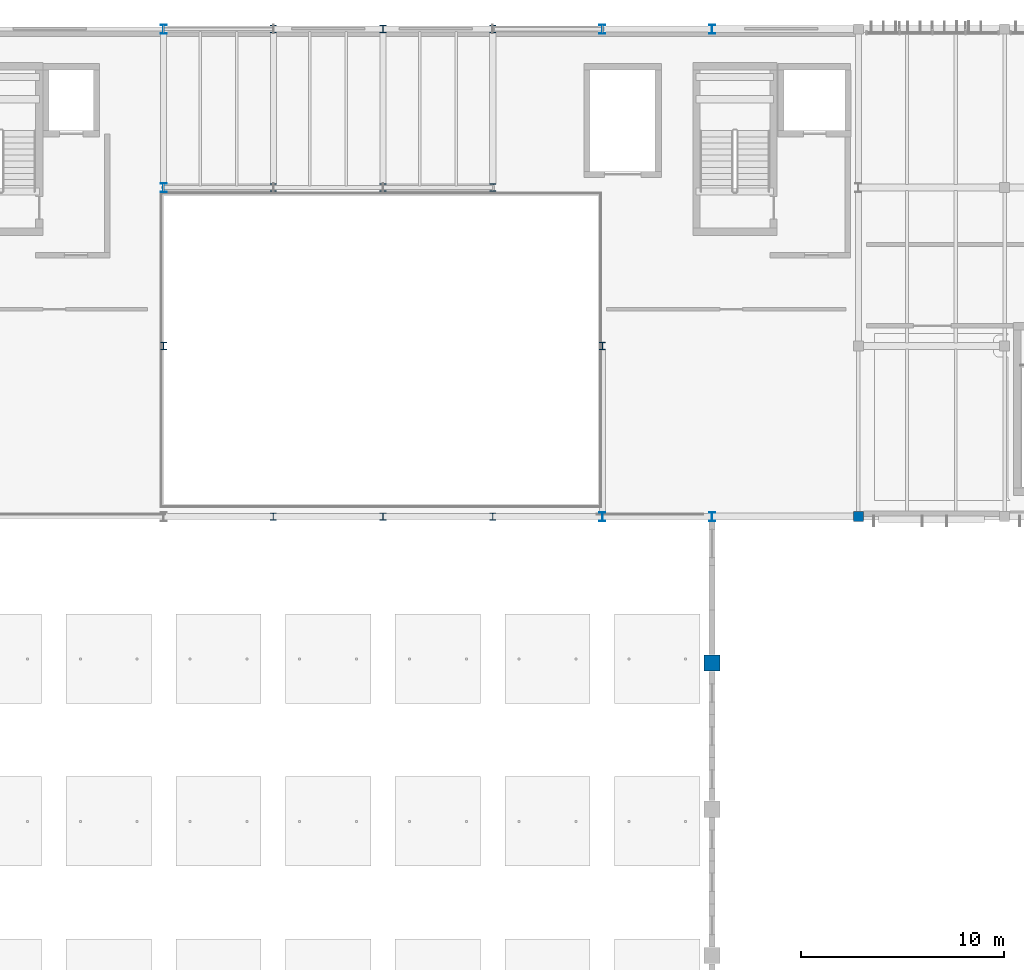
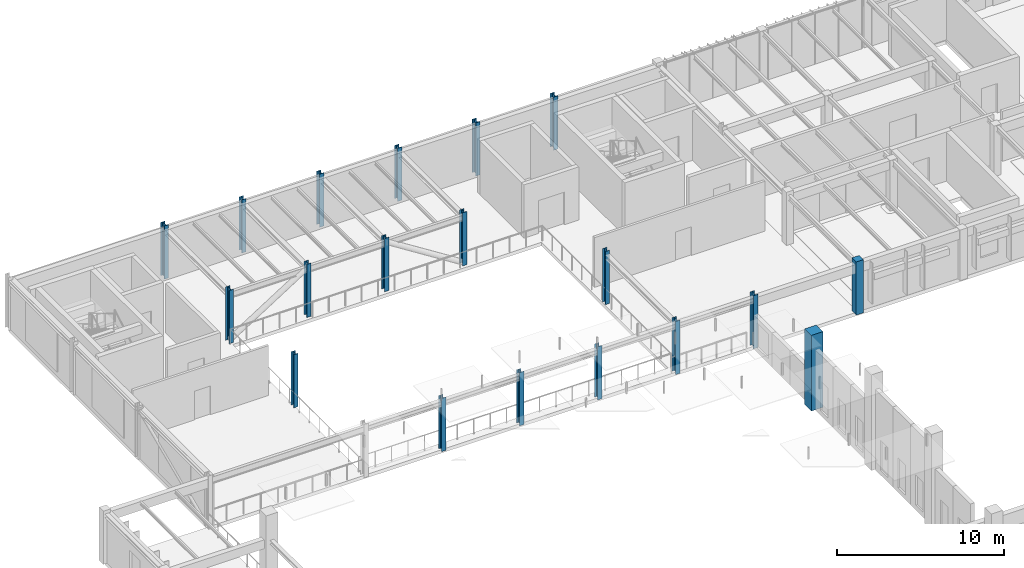
# One storey, part 4 of 44: 19 columns.
"""IFC4 building model written with IfcOpenShell, lengths in metres."""

from ifc_helpers import new_model, si_unit, direction, frame, origin, origin_2d, place, context, subcontext, project, spatial, rectangle, i_section, extrude, material, material_profile, profile_set, type_object, element, save


model = new_model("IFC4")

# Units and contexts
model_context = context("Model", 3, precision=1e-05, world=origin(), true_north=direction((0.0, 1.0)))
body_context = subcontext(model_context, "Body", "Model", "MODEL_VIEW")
ifc_project = project(units=[si_unit("LENGTHUNIT", "METRE"), si_unit("AREAUNIT", "SQUARE_METRE"), si_unit("VOLUMEUNIT", "CUBIC_METRE"), si_unit("PLANEANGLEUNIT", "RADIAN"), si_unit("MASSUNIT", "GRAM", prefix="KILO")], contexts=[model_context])

# Site, building, storey
site_placement = place(None, origin())
site = spatial("IfcSite", under=ifc_project, at=site_placement, CompositionType="ELEMENT")
building_placement = place(site_placement, origin())
building = spatial("IfcBuilding", under=site, at=building_placement, Name="Tazoul Stagehouse", CompositionType="ELEMENT")
storey_placement = place(building_placement, frame((0.0, 0.0, 13.199951171875)))
storey = spatial("IfcBuildingStorey", under=building, at=storey_placement, Name="L03", CompositionType="ELEMENT", Elevation=13.199951171875)

# Columns
ifc_material_1 = material(Name="Concrete C40/50", Category="concrete")
ifc_material_profile_1 = material_profile(ifc_material_1, rectangle(XDim=0.5, YDim=0.5, at=origin_2d()), Name="RC 500x500")
ifc_profile_set_1 = profile_set([ifc_material_profile_1], Name="Concrete C40/50")
column_type_1 = type_object("IfcColumnType", Name="RC Column 500x500 (Exterior)", PredefinedType="COLUMN", material=ifc_profile_set_1)
column_1_placement = place(storey_placement, frame((102.60009765625, 87.800048828125, 0.0), z_axis=(0.0, 0.0, 1.0), x_axis=(1.0, 0.0, 0.0)))
element("IfcColumn", 1, at=column_1_placement, inside=storey, type_object=column_type_1, Name="L03 Column C-02E at 16/N", PredefinedType="COLUMN", context=body_context, shape_type="SweptSolid", body=[
    extrude(rectangle(XDim=0.5, YDim=0.5, at=origin_2d()), origin(), (0.0, 0.0, 1.0), 3.900146484375),
])
ifc_material_profile_2 = material_profile(ifc_material_1, rectangle(XDim=0.800048828125, YDim=0.800048828125, at=origin_2d()), Name="RC 800x800")
ifc_profile_set_2 = profile_set([ifc_material_profile_2], Name="Concrete C40/50")
column_type_2 = type_object("IfcColumnType", Name="RC Column 800x800 (Exterior)", PredefinedType="COLUMN", material=ifc_profile_set_2)
column_2_placement = place(storey_placement, frame((95.39990234375, 80.60009765625, 0.0), z_axis=(0.0, 0.0, 1.0), x_axis=(1.0, 0.0, 0.0)))
element("IfcColumn", 2, at=column_2_placement, inside=storey, type_object=column_type_2, Name="L03 Column C-05E at 15/M", PredefinedType="COLUMN", context=body_context, shape_type="SweptSolid", body=[
    extrude(rectangle(XDim=0.800048828125, YDim=0.800048828125, at=origin_2d()), origin(), (0.0, 0.0, 1.0), 5.542236328125),
])
ifc_material_2 = material(Name="Steel S355", Category="steel")
ifc_material_profile_3 = material_profile(ifc_material_2, i_section(OverallWidth=0.300048828125, OverallDepth=0.360107421875, WebThickness=0.012451171875, FlangeThickness=0.0224609375, FilletRadius=0.027099609375, at=origin_2d()), Name="HEB 360")
ifc_profile_set_3 = profile_set([ifc_material_profile_3], Name="Steel S355")
column_type_3 = type_object("IfcColumnType", Name="Steel Column HEB 360", PredefinedType="COLUMN", material=ifc_profile_set_3)
for number, where, z_axis, x_axis, name in (
    (3, (68.39990234375, 96.199951171875, 0.0), (0.0, 0.0, 1.0), (1.0, 0.0, 0.0), "L03 Column SC-03 at 10/P"),
    (4, (73.800048828125, 104.0, 0.0), (0.0, 0.0, 1.0), (1.0, 0.0, 0.0), "L03 Column SC-03 at 11/Q"),
    (5, (79.199951171875, 104.0, 0.0), (0.0, 0.0, 1.0), (1.0, 0.0, 0.0), "L03 Column SC-03 at 12/Q"),
    (6, (84.60009765625, 104.0, 0.0), (0.0, 0.0, 1.0), (1.0, 0.0, 0.0), "L03 Column SC-03 at 13/Q"),
    (7, (90.0, 96.199951171875, 0.0), (0.0, 0.0, 1.0), (1.0, 0.0, 0.0), "L03 Column SC-03 at 14/P"),
):
    element("IfcColumn", number, at=place(storey_placement, frame(where, z_axis=z_axis, x_axis=x_axis)), inside=storey, type_object=column_type_3, Name=name, PredefinedType="COLUMN", context=body_context, shape_type="SweptSolid", body=[
        extrude(i_section(OverallWidth=0.300048828125, OverallDepth=0.360107421875, WebThickness=0.012451171875, FlangeThickness=0.0224609375, FilletRadius=0.027099609375, at=origin_2d()), origin(), (0.0, 0.0, 1.0), 3.900146484375),
    ])
ifc_material_profile_4 = material_profile(ifc_material_2, i_section(OverallWidth=0.300048828125, OverallDepth=0.360107421875, WebThickness=0.012451171875, FlangeThickness=0.0224609375, FilletRadius=0.027099609375, at=origin_2d()), Name="HEB 360")
ifc_profile_set_4 = profile_set([ifc_material_profile_4], Name="Steel S355")
column_type_4 = type_object("IfcColumnType", Name="Steel Column HEB 360 (Exterior)", PredefinedType="COLUMN", material=ifc_profile_set_4)
for number, where, z_axis, x_axis, name in (
    (8, (73.800048828125, 87.800048828125, 0.0), (0.0, 0.0, 1.0), (1.0, 0.0, 0.0), "L03 Column SC-03E at 11/N"),
    (9, (73.800048828125, 111.800048828125, 0.0), (0.0, 0.0, 1.0), (1.0, 0.0, 0.0), "L03 Column SC-03E at 11/R"),
    (10, (79.199951171875, 87.800048828125, 0.0), (0.0, 0.0, 1.0), (1.0, 0.0, 0.0), "L03 Column SC-03E at 12/N"),
    (11, (79.199951171875, 111.800048828125, 0.0), (0.0, 0.0, 1.0), (1.0, 0.0, 0.0), "L03 Column SC-03E at 12/R"),
    (12, (84.60009765625, 87.800048828125, 0.0), (0.0, 0.0, 1.0), (1.0, 0.0, 0.0), "L03 Column SC-03E at 13/N"),
    (13, (84.60009765625, 111.800048828125, 0.0), (0.0, 0.0, 1.0), (1.0, 0.0, 0.0), "L03 Column SC-03E at 13/R"),
):
    element("IfcColumn", number, at=place(storey_placement, frame(where, z_axis=z_axis, x_axis=x_axis)), inside=storey, type_object=column_type_4, Name=name, PredefinedType="COLUMN", context=body_context, shape_type="SweptSolid", body=[
        extrude(i_section(OverallWidth=0.300048828125, OverallDepth=0.360107421875, WebThickness=0.012451171875, FlangeThickness=0.0224609375, FilletRadius=0.027099609375, at=origin_2d()), origin(), (0.0, 0.0, 1.0), 3.900146484375),
    ])
ifc_material_profile_5 = material_profile(ifc_material_2, i_section(OverallWidth=0.300048828125, OverallDepth=0.449951171875, WebThickness=0.013916015625, FlangeThickness=0.02587890625, FilletRadius=0.027099609375, at=origin_2d()), Name="HEB 450")
ifc_profile_set_5 = profile_set([ifc_material_profile_5], Name="Steel S355")
column_type_5 = type_object("IfcColumnType", Name="Steel Column HEB 450", PredefinedType="COLUMN", material=ifc_profile_set_5)
column_3_placement = place(storey_placement, frame((68.39990234375, 104.0, 0.0), z_axis=(0.0, 0.0, 1.0), x_axis=(1.0, 0.0, 0.0)))
element("IfcColumn", 14, at=column_3_placement, inside=storey, type_object=column_type_5, Name="L03 Column SC-05 at 10/Q", PredefinedType="COLUMN", context=body_context, shape_type="SweptSolid", body=[
    extrude(i_section(OverallWidth=0.300048828125, OverallDepth=0.449951171875, WebThickness=0.013916015625, FlangeThickness=0.02587890625, FilletRadius=0.027099609375, at=origin_2d()), origin(), (0.0, 0.0, 1.0), 3.900146484375),
])
ifc_material_profile_6 = material_profile(ifc_material_2, i_section(OverallWidth=0.300048828125, OverallDepth=0.449951171875, WebThickness=0.013916015625, FlangeThickness=0.02587890625, FilletRadius=0.027099609375, at=origin_2d()), Name="HEB 450")
ifc_profile_set_6 = profile_set([ifc_material_profile_6], Name="Steel S355")
column_type_6 = type_object("IfcColumnType", Name="Steel Column HEB 450 (Exterior)", PredefinedType="COLUMN", material=ifc_profile_set_6)
for number, where, z_axis, x_axis, name in (
    (15, (68.39990234375, 111.800048828125, 0.0), (0.0, 0.0, 1.0), (1.0, 0.0, 0.0), "L03 Column SC-05E at 10/R"),
    (16, (90.0, 87.800048828125, 0.0), (0.0, 0.0, 1.0), (1.0, 0.0, 0.0), "L03 Column SC-05E at 14/N"),
    (17, (90.0, 111.800048828125, 0.0), (0.0, 0.0, 1.0), (1.0, 0.0, 0.0), "L03 Column SC-05E at 14/R"),
    (18, (95.39990234375, 87.800048828125, 0.0), (0.0, 0.0, 1.0), (1.0, 0.0, 0.0), "L03 Column SC-05E at 15/N"),
    (19, (95.39990234375, 111.800048828125, 0.0), (0.0, 0.0, 1.0), (1.0, 0.0, 0.0), "L03 Column SC-05E at 15/R"),
):
    element("IfcColumn", number, at=place(storey_placement, frame(where, z_axis=z_axis, x_axis=x_axis)), inside=storey, type_object=column_type_6, Name=name, PredefinedType="COLUMN", context=body_context, shape_type="SweptSolid", body=[
        extrude(i_section(OverallWidth=0.300048828125, OverallDepth=0.449951171875, WebThickness=0.013916015625, FlangeThickness=0.02587890625, FilletRadius=0.027099609375, at=origin_2d()), origin(), (0.0, 0.0, 1.0), 3.900146484375),
    ])

save(model, "model.ifc")
